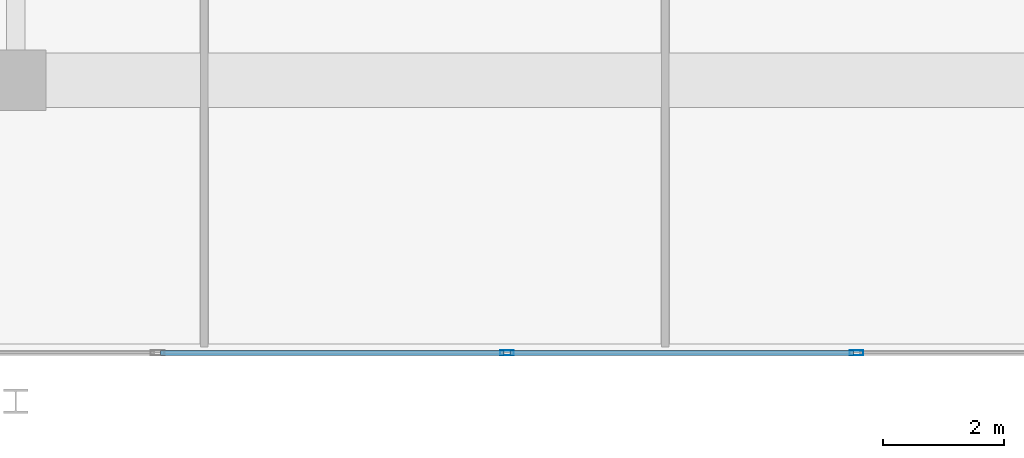
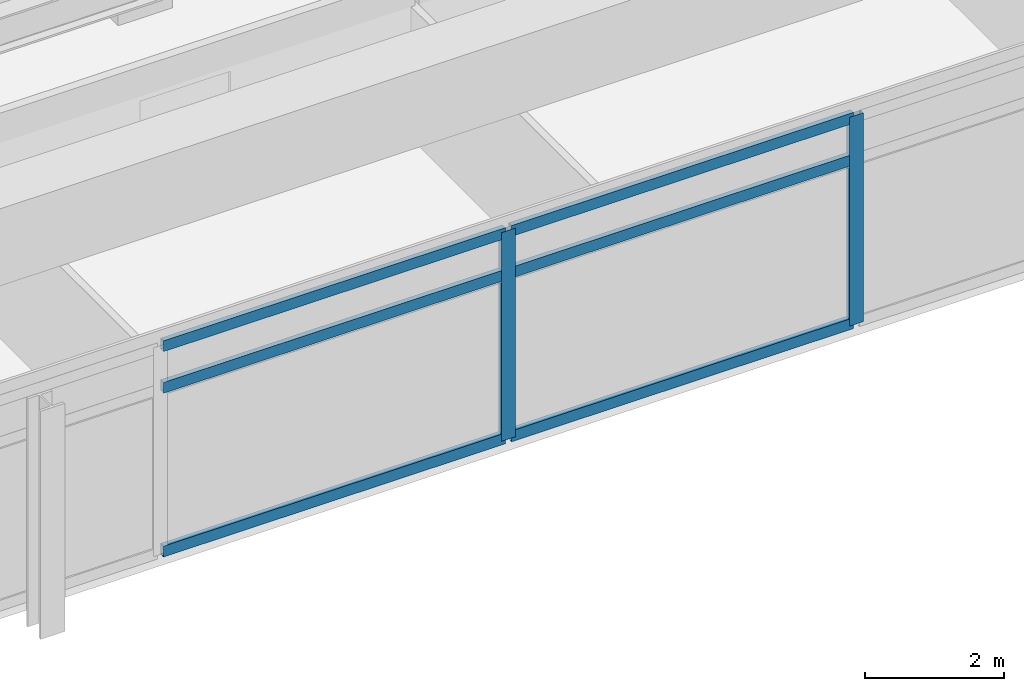
# One storey, part 3 of 18: 8 members, 1 element without a shape of its own.
"""IFC4 building model written with IfcOpenShell, lengths in metres."""

from ifc_helpers import new_model, si_unit, direction, frame, origin, origin_2d, place, context, subcontext, project, spatial, hollow_rectangle, extrude, material, material_profile, profile_set, type_object, element, aggregate, save


model = new_model("IFC4")

# Units and contexts
model_context = context("Model", 3, precision=1e-05, world=origin(), true_north=direction((0.0, 1.0)))
body_context = subcontext(model_context, "Body", "Model", "MODEL_VIEW")
ifc_project = project(units=[si_unit("LENGTHUNIT", "METRE"), si_unit("AREAUNIT", "SQUARE_METRE"), si_unit("VOLUMEUNIT", "CUBIC_METRE"), si_unit("PLANEANGLEUNIT", "RADIAN"), si_unit("MASSUNIT", "GRAM", prefix="KILO")], contexts=[model_context])

# Site, building, storey
site_placement = place(None, origin())
site = spatial("IfcSite", under=ifc_project, at=site_placement, CompositionType="ELEMENT")
building_placement = place(site_placement, origin())
building = spatial("IfcBuilding", under=site, at=building_placement, Name="Kovane Verandah Tower", CompositionType="ELEMENT")
storey_placement = place(building_placement, frame((0.0, 0.0, 338.800048828125)))
storey = spatial("IfcBuildingStorey", under=building, at=storey_placement, Name="L79", CompositionType="ELEMENT", Elevation=338.800048828125)

# Curtain wall, members
ifc_material_1 = material(Name="Champagne Anodised Aluminium Frame with Low-E Clear Laminated Glass", Category="aluminium")
curtain_wall_type = type_object("IfcCurtainWallType", Name="CW-SYS-05-HIGH", PredefinedType="NOTDEFINED", material=ifc_material_1)
curtain_wall_placement = place(storey_placement, origin())
curtain_wall = element("IfcCurtainWall", 1, at=curtain_wall_placement, inside=storey, type_object=curtain_wall_type, Name="L79 S Unitised Curtain Wall", PredefinedType="NOTDEFINED")
ifc_material_2 = material(Name="Champagne Anodised Aluminium 6063-T6", Category="aluminium")
ifc_material_profile_1 = material_profile(ifc_material_2, hollow_rectangle(XDim=0.0849609375, YDim=0.22998046875, WallThickness=0.00390625, at=origin_2d()), Name="AL85x230x4")
ifc_profile_set_1 = profile_set([ifc_material_profile_1], Name="Champagne Anodised Aluminium 6063-T6")
member_type_1 = type_object("IfcMemberType", Name="CW-MUL-85x230", PredefinedType="MULLION", material=ifc_profile_set_1)
member_1_placement = place(storey_placement, frame((37.1142578125, 6.300048828125, 0.02001953125), z_axis=(0.0, 0.0, 1.0), x_axis=(0.0, -1.0, 0.0)))
member_1 = element("IfcMember", 2, at=member_1_placement, type_object=member_type_1, Name="L79 S Unitised Curtain Wall Mullion 4", PredefinedType="MULLION", context=body_context, shape_type="SweptSolid", body=[
    extrude(hollow_rectangle(XDim=0.0849609375, YDim=0.22998046875, WallThickness=0.00390625, at=origin_2d()), origin(), (0.0, 0.0, 1.0), 3.659912109375),
])
member_2_placement = place(storey_placement, frame((42.8857421875, 6.300048828125, 0.02001953125), z_axis=(0.0, 0.0, 1.0), x_axis=(0.0, -1.0, 0.0)))
member_2 = element("IfcMember", 3, at=member_2_placement, type_object=member_type_1, Name="L79 S Unitised Curtain Wall Mullion 5", PredefinedType="MULLION", context=body_context, shape_type="SweptSolid", body=[
    extrude(hollow_rectangle(XDim=0.0849609375, YDim=0.22998046875, WallThickness=0.00390625, at=origin_2d()), origin(), (0.0, 0.0, 1.0), 3.659912109375),
])
ifc_material_profile_2 = material_profile(ifc_material_2, hollow_rectangle(XDim=0.0849609375, YDim=0.18994140625, WallThickness=0.00390625, at=origin_2d()), Name="AL85x190x4")
ifc_profile_set_2 = profile_set([ifc_material_profile_2], Name="Champagne Anodised Aluminium 6063-T6")
member_type_2 = type_object("IfcMemberType", Name="CW-TRN-85x190", PredefinedType="USERDEFINED", material=ifc_profile_set_2)
member_3_placement = place(storey_placement, frame((31.392822265625, 6.300048828125, 0.050048828125), z_axis=(1.0, 0.0, 0.0), x_axis=(0.0, 1.0, 0.0)))
member_3 = element("IfcMember", 4, at=member_3_placement, type_object=member_type_2, Name="L79 S Unitised Curtain Wall Transom TB Bay 3", ObjectType="TRANSOM", PredefinedType="USERDEFINED", context=body_context, shape_type="SweptSolid", body=[
    extrude(hollow_rectangle(XDim=0.0849609375, YDim=0.18994140625, WallThickness=0.00390625, at=origin_2d()), origin(), (0.0, 0.0, 1.0), 5.67138671875),
])
member_4_placement = place(storey_placement, frame((31.392822265625, 6.300048828125, 2.919921875), z_axis=(1.0, 0.0, 0.0), x_axis=(0.0, 1.0, 0.0)))
member_4 = element("IfcMember", 5, at=member_4_placement, type_object=member_type_2, Name="L79 S Unitised Curtain Wall Transom TM Bay 3", ObjectType="TRANSOM", PredefinedType="USERDEFINED", context=body_context, shape_type="SweptSolid", body=[
    extrude(hollow_rectangle(XDim=0.0849609375, YDim=0.18994140625, WallThickness=0.00390625, at=origin_2d()), origin(), (0.0, 0.0, 1.0), 5.67138671875),
])
member_5_placement = place(storey_placement, frame((31.392822265625, 6.300048828125, 3.64990234375), z_axis=(1.0, 0.0, 0.0), x_axis=(0.0, 1.0, 0.0)))
member_5 = element("IfcMember", 6, at=member_5_placement, type_object=member_type_2, Name="L79 S Unitised Curtain Wall Transom TT Bay 3", ObjectType="TRANSOM", PredefinedType="USERDEFINED", context=body_context, shape_type="SweptSolid", body=[
    extrude(hollow_rectangle(XDim=0.0849609375, YDim=0.18994140625, WallThickness=0.00390625, at=origin_2d()), origin(), (0.0, 0.0, 1.0), 5.67138671875),
])
member_6_placement = place(storey_placement, frame((37.164306640625, 6.300048828125, 0.050048828125), z_axis=(1.0, 0.0, 0.0), x_axis=(0.0, 1.0, 0.0)))
member_6 = element("IfcMember", 7, at=member_6_placement, type_object=member_type_2, Name="L79 S Unitised Curtain Wall Transom TB Bay 4", ObjectType="TRANSOM", PredefinedType="USERDEFINED", context=body_context, shape_type="SweptSolid", body=[
    extrude(hollow_rectangle(XDim=0.0849609375, YDim=0.18994140625, WallThickness=0.00390625, at=origin_2d()), origin(), (0.0, 0.0, 1.0), 5.67138671875),
])
member_7_placement = place(storey_placement, frame((37.164306640625, 6.300048828125, 2.919921875), z_axis=(1.0, 0.0, 0.0), x_axis=(0.0, 1.0, 0.0)))
member_7 = element("IfcMember", 8, at=member_7_placement, type_object=member_type_2, Name="L79 S Unitised Curtain Wall Transom TM Bay 4", ObjectType="TRANSOM", PredefinedType="USERDEFINED", context=body_context, shape_type="SweptSolid", body=[
    extrude(hollow_rectangle(XDim=0.0849609375, YDim=0.18994140625, WallThickness=0.00390625, at=origin_2d()), origin(), (0.0, 0.0, 1.0), 5.67138671875),
])
member_8_placement = place(storey_placement, frame((37.164306640625, 6.300048828125, 3.64990234375), z_axis=(1.0, 0.0, 0.0), x_axis=(0.0, 1.0, 0.0)))
member_8 = element("IfcMember", 9, at=member_8_placement, type_object=member_type_2, Name="L79 S Unitised Curtain Wall Transom TT Bay 4", ObjectType="TRANSOM", PredefinedType="USERDEFINED", context=body_context, shape_type="SweptSolid", body=[
    extrude(hollow_rectangle(XDim=0.0849609375, YDim=0.18994140625, WallThickness=0.00390625, at=origin_2d()), origin(), (0.0, 0.0, 1.0), 5.67138671875),
])
aggregate(curtain_wall, [member_1, member_2, member_3, member_4, member_5, member_6, member_7, member_8])

save(model, "model.ifc")
